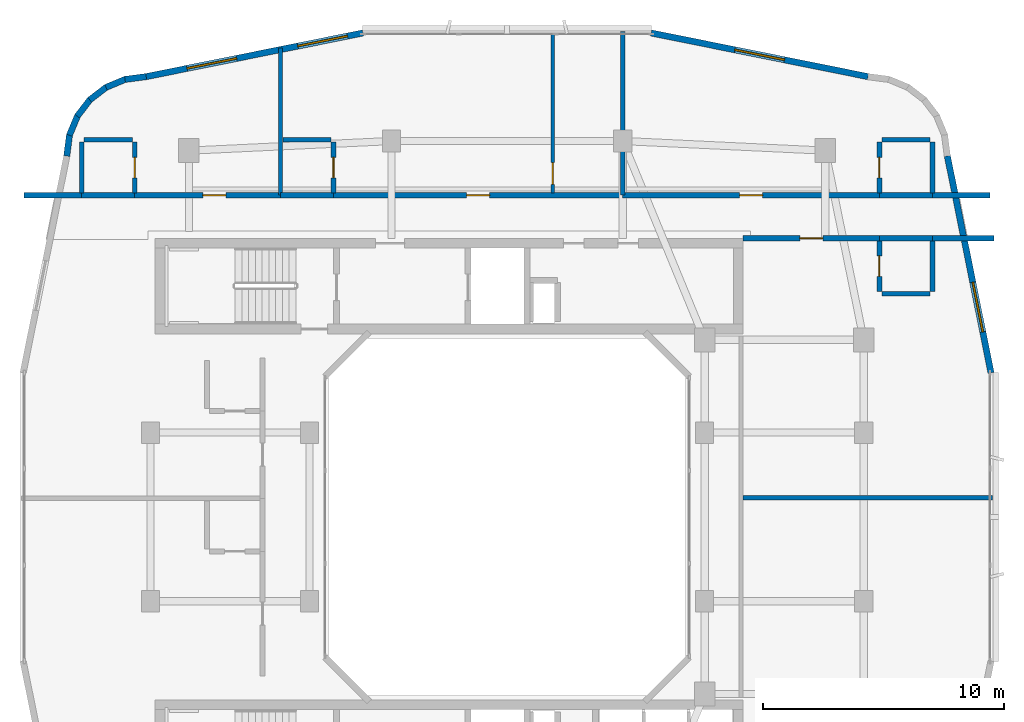
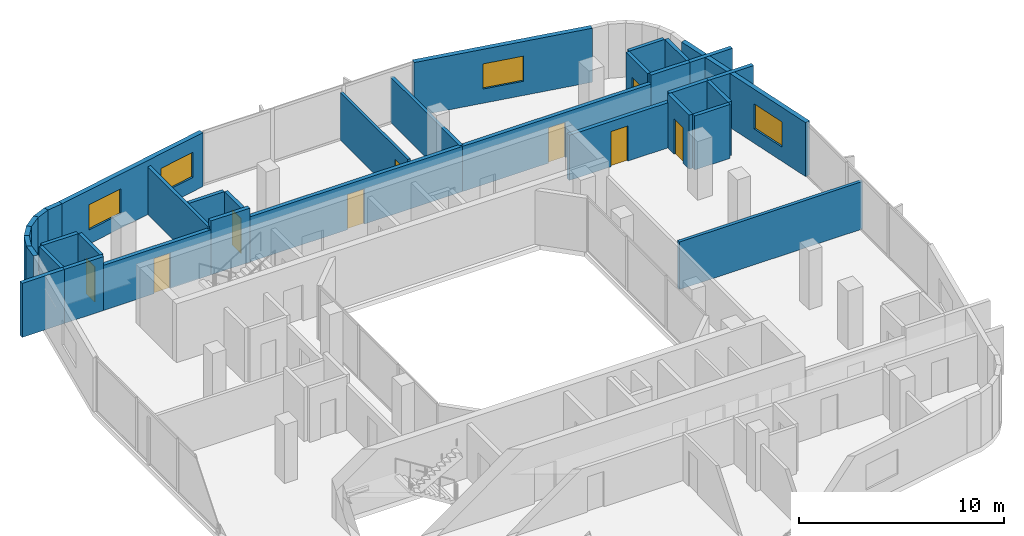
# One storey, part 9 of 14: 35 walls, 9 doors, 4 windows, 13 openings.
"""IFC4 building model written with IfcOpenShell, lengths in metres."""

from ifc_helpers import new_model, si_unit, derived_unit, direction, frame, frame_2d, origin, place, context, subcontext, project, spatial, rectangle, extrude, material, layer, layer_set, type_object, element, fill, save


model = new_model("IFC4")

# Units and contexts
model_context = context("Model", 3, precision=1e-05, world=origin(), true_north=direction((0.0, 1.0)))
body_context = subcontext(model_context, "Body", "Model", "MODEL_VIEW")
ifc_project = project(units=[si_unit("LENGTHUNIT", "METRE"), si_unit("AREAUNIT", "SQUARE_METRE"), si_unit("VOLUMEUNIT", "CUBIC_METRE"), si_unit("PLANEANGLEUNIT", "RADIAN"), si_unit("MASSUNIT", "GRAM", prefix="KILO"), derived_unit("THERMALTRANSMITTANCEUNIT", [(si_unit("POWERUNIT", "WATT"), 1), (si_unit("LENGTHUNIT", "METRE"), -2), (si_unit("THERMODYNAMICTEMPERATUREUNIT", "KELVIN"), -1)])], contexts=[model_context])

# Site, building, storey
site_placement = place(None, origin())
site = spatial("IfcSite", under=ifc_project, at=site_placement, CompositionType="ELEMENT")
building_placement = place(site_placement, origin())
building = spatial("IfcBuilding", under=site, at=building_placement, Name="Kivonza Crest Hotel", CompositionType="ELEMENT")
storey_placement = place(building_placement, frame((0.0, 0.0, 138.0)))
storey = spatial("IfcBuildingStorey", under=building, at=storey_placement, Name="L37", CompositionType="ELEMENT", Elevation=138.0)

# Walls
ifc_material_1 = material(Name="High-density acoustic masonry inter-tenancy wall", Category="masonry")
ifc_layer_1 = layer(ifc_material_1, 0.179931640625)
ifc_layer_set_1 = layer_set([ifc_layer_1], Name="High-density acoustic masonry inter-tenancy wall")
wall_type_1 = type_object("IfcWallType", Name="WL-ACOU-180", PredefinedType="SOLIDWALL", material=ifc_layer_set_1)
wall_1_placement = place(storey_placement, frame((11.60009765625, 38.35009765625, 0.0), z_axis=(0.0, 0.0, 1.0), x_axis=(0.0, 1.0, 0.0)))
element("IfcWall", 1, at=wall_1_placement, inside=storey, type_object=wall_type_1, Name="L37 interior partition WA-L37-T1N-DIV1", PredefinedType="SOLIDWALL", context=body_context, shape_type="SweptSolid", body=[
    extrude(rectangle(XDim=6.115966796875, YDim=0.179931640625, at=frame_2d((3.05810546875, 0.0))), origin(), (0.0, 0.0, 1.0), 2.8349609375),
])
wall_2_placement = place(storey_placement, frame((25.800048828125, 38.35009765625, 0.0), z_axis=(0.0, 0.0, 1.0), x_axis=(0.0, 1.0, 0.0)))
element("IfcWall", 2, at=wall_2_placement, inside=storey, type_object=wall_type_1, Name="L37 interior partition WA-L37-T1N-DIV2", PredefinedType="SOLIDWALL", context=body_context, shape_type="SweptSolid", body=[
    extrude(rectangle(XDim=6.789794921875, YDim=0.179931640625, at=frame_2d((3.39501953125, 0.0))), origin(), (0.0, 0.0, 1.0), 2.695068359375),
])
wall_3_placement = place(storey_placement, frame((30.800048828125, 25.800048828125, 0.0), z_axis=(0.0, 0.0, 1.0), x_axis=(1.0, 0.0, 0.0)))
element("IfcWall", 3, at=wall_3_placement, inside=storey, type_object=wall_type_1, Name="L37 interior partition WA-L37-T1EC-DIV", PredefinedType="SOLIDWALL", context=body_context, shape_type="SweptSolid", body=[
    extrude(rectangle(XDim=10.33984375, YDim=0.179931640625, at=frame_2d((5.169921875, 0.0))), origin(), (0.0, 0.0, 1.0), 2.8349609375),
])
ifc_material_2 = material(Name="Autoclaved aerated concrete blockwork", Category="masonry")
ifc_layer_2 = layer(ifc_material_2, 0.219970703125)
ifc_layer_set_2 = layer_set([ifc_layer_2], Name="Autoclaved aerated concrete blockwork")
wall_type_2 = type_object("IfcWallType", Name="WL-ACOU-220", PredefinedType="SOLIDWALL", material=ifc_layer_set_2)
wall_4_placement = place(storey_placement, frame((0.9599609375, 38.35009765625, 0.0), z_axis=(0.0, 0.0, 1.0), x_axis=(1.0, 0.0, 0.0)))
element("IfcWall", 4, at=wall_4_placement, inside=storey, type_object=wall_type_2, Name="L37 interior partition WA-L37-N01-XCORR", PredefinedType="SOLIDWALL", context=body_context, shape_type="SweptSolid", body=[
    extrude(rectangle(XDim=2.39013671875, YDim=0.219970703125, at=frame_2d((1.195068359375, 0.0))), origin(), (0.0, 0.0, 1.0), 3.219970703125),
])
wall_5_placement = place(storey_placement, frame((3.35009765625, 38.35009765625, 0.0), z_axis=(0.0, 0.0, 1.0), x_axis=(1.0, 0.0, 0.0)))
element("IfcWall", 5, at=wall_5_placement, inside=storey, type_object=wall_type_2, Name="L37 interior partition WA-L37-N01-BCORR", PredefinedType="SOLIDWALL", context=body_context, shape_type="SweptSolid", body=[
    extrude(rectangle(XDim=2.199951171875, YDim=0.219970703125, at=frame_2d((1.10009765625, 0.0))), origin(), (0.0, 0.0, 1.0), 3.219970703125),
])

# Wall, opening, door
wall_6_placement = place(storey_placement, frame((5.550048828125, 38.35009765625, 0.0), z_axis=(0.0, 0.0, 1.0), x_axis=(1.0, 0.0, 0.0)))
wall_6 = element("IfcWall", 6, at=wall_6_placement, inside=storey, type_object=wall_type_2, Name="L37 interior partition WA-L37-N01-MCORR", PredefinedType="SOLIDWALL", context=body_context, shape_type="SweptSolid", body=[
    extrude(rectangle(XDim=6.050048828125, YDim=0.219970703125, at=frame_2d((3.02490234375, 0.0))), origin(), (0.0, 0.0, 1.0), 2.695068359375),
])
opening_1_placement = place(wall_6_placement, frame((2.830078125, 0.0, 0.0)))
opening_1 = element("IfcOpeningElement", 7, at=opening_1_placement, cuts=wall_6, Name="Opening DU-60", PredefinedType="OPENING", context=body_context, shape_type="SweptSolid", body=[
    extrude(rectangle(XDim=0.949951171875, YDim=2.10009765625, at=frame_2d((0.47509765625, 1.050048828125))), frame((0.0, 0.1201171875, 0.0), z_axis=(0.0, -1.0, 0.0), x_axis=(1.0, 0.0, 0.0)), (0.0, 0.0, 1.0), 0.239990234375),
])
ifc_material_3 = material(Name="Hardwood timber oak", Category="wood")
door_type_1 = type_object("IfcDoorType", Name="DR-UNIT-950", OperationType="NOTDEFINED", PredefinedType="DOOR", material=ifc_material_3)
door_1_placement = place(opening_1_placement, origin())
door_1 = element("IfcDoor", 8, at=door_1_placement, inside=storey, type_object=door_type_1, Name="L37 N01 guest unit entrance fire door", OperationType="SINGLE_SWING_LEFT", OverallHeight=2.10009765625, OverallWidth=0.949951171875, PredefinedType="DOOR", context=body_context, shape_type="SweptSolid", body=[
    extrude(rectangle(XDim=0.949951171875, YDim=2.10009765625, at=frame_2d((0.47509765625, 1.050048828125))), frame((0.0, 0.02490234375, 0.0), z_axis=(0.0, -1.0, 0.0), x_axis=(1.0, 0.0, 0.0)), (0.0, 0.0, 1.0), 0.050048828125),
])
fill(opening_1, door_1)

# Wall
wall_7_placement = place(storey_placement, frame((11.60009765625, 38.35009765625, 0.0), z_axis=(0.0, 0.0, 1.0), x_axis=(1.0, 0.0, 0.0)))
element("IfcWall", 9, at=wall_7_placement, inside=storey, type_object=wall_type_2, Name="L37 interior partition WA-L37-N02-BCORR", PredefinedType="SOLIDWALL", context=body_context, shape_type="SweptSolid", body=[
    extrude(rectangle(XDim=2.199951171875, YDim=0.219970703125, at=frame_2d((1.10009765625, 0.0))), origin(), (0.0, 0.0, 1.0), 3.219970703125),
])

# Wall, opening, door
wall_8_placement = place(storey_placement, frame((13.800048828125, 38.35009765625, 0.0), z_axis=(0.0, 0.0, 1.0), x_axis=(1.0, 0.0, 0.0)))
wall_8 = element("IfcWall", 10, at=wall_8_placement, inside=storey, type_object=wall_type_2, Name="L37 interior partition WA-L37-N02-MCORR", PredefinedType="SOLIDWALL", context=body_context, shape_type="SweptSolid", body=[
    extrude(rectangle(XDim=12.0, YDim=0.219970703125, at=frame_2d((6.0, 0.0))), origin(), (0.0, 0.0, 1.0), 2.695068359375),
])
opening_2_placement = place(wall_8_placement, frame((5.52490234375, 0.0, 0.0)))
opening_2 = element("IfcOpeningElement", 11, at=opening_2_placement, cuts=wall_8, Name="Opening DU-60", PredefinedType="OPENING", context=body_context, shape_type="SweptSolid", body=[
    extrude(rectangle(XDim=0.949951171875, YDim=2.10009765625, at=frame_2d((0.47509765625, 1.050048828125))), frame((0.0, 0.1201171875, 0.0), z_axis=(0.0, -1.0, 0.0), x_axis=(1.0, 0.0, 0.0)), (0.0, 0.0, 1.0), 0.239990234375),
])
door_2_placement = place(opening_2_placement, origin())
door_2 = element("IfcDoor", 12, at=door_2_placement, inside=storey, type_object=door_type_1, Name="L37 N02 guest unit entrance fire door", OperationType="SINGLE_SWING_RIGHT", OverallHeight=2.10009765625, OverallWidth=0.949951171875, PredefinedType="DOOR", context=body_context, shape_type="SweptSolid", body=[
    extrude(rectangle(XDim=0.949951171875, YDim=2.10009765625, at=frame_2d((0.47509765625, 1.050048828125))), frame((0.0, 0.02490234375, 0.0), z_axis=(0.0, -1.0, 0.0), x_axis=(1.0, 0.0, 0.0)), (0.0, 0.0, 1.0), 0.050048828125),
])
fill(opening_2, door_2)

# Walls
wall_9_placement = place(storey_placement, frame((38.64990234375, 38.35009765625, 0.0), z_axis=(0.0, 0.0, 1.0), x_axis=(1.0, 0.0, 0.0)))
element("IfcWall", 13, at=wall_9_placement, inside=storey, type_object=wall_type_2, Name="L37 interior partition WA-L37-N03-XCORR", PredefinedType="SOLIDWALL", context=body_context, shape_type="SweptSolid", body=[
    extrude(rectangle(XDim=2.39013671875, YDim=0.219970703125, at=frame_2d((1.195068359375, 0.0))), origin(), (0.0, 0.0, 1.0), 3.219970703125),
])
wall_10_placement = place(storey_placement, frame((36.449951171875, 38.35009765625, 0.0), z_axis=(0.0, 0.0, 1.0), x_axis=(1.0, 0.0, 0.0)))
element("IfcWall", 14, at=wall_10_placement, inside=storey, type_object=wall_type_2, Name="L37 interior partition WA-L37-N03-BCORR", PredefinedType="SOLIDWALL", context=body_context, shape_type="SweptSolid", body=[
    extrude(rectangle(XDim=2.199951171875, YDim=0.219970703125, at=frame_2d((1.10009765625, 0.0))), origin(), (0.0, 0.0, 1.0), 3.219970703125),
])

# Wall, opening, door
wall_11_placement = place(storey_placement, frame((25.800048828125, 38.35009765625, 0.0), z_axis=(0.0, 0.0, 1.0), x_axis=(1.0, 0.0, 0.0)))
wall_11 = element("IfcWall", 15, at=wall_11_placement, inside=storey, type_object=wall_type_2, Name="L37 interior partition WA-L37-N03-MCORR", PredefinedType="SOLIDWALL", context=body_context, shape_type="SweptSolid", body=[
    extrude(rectangle(XDim=10.64990234375, YDim=0.219970703125, at=frame_2d((5.324951171875, 0.0))), origin(), (0.0, 0.0, 1.0), 2.695068359375),
])
opening_3_placement = place(wall_11_placement, frame((4.85009765625, 0.0, 0.0)))
opening_3 = element("IfcOpeningElement", 16, at=opening_3_placement, cuts=wall_11, Name="Opening DU-60", PredefinedType="OPENING", context=body_context, shape_type="SweptSolid", body=[
    extrude(rectangle(XDim=0.949951171875, YDim=2.10009765625, at=frame_2d((0.47509765625, 1.050048828125))), frame((0.0, 0.1201171875, 0.0), z_axis=(0.0, -1.0, 0.0), x_axis=(1.0, 0.0, 0.0)), (0.0, 0.0, 1.0), 0.239990234375),
])
door_3_placement = place(opening_3_placement, origin())
door_3 = element("IfcDoor", 17, at=door_3_placement, inside=storey, type_object=door_type_1, Name="L37 N03 guest unit entrance fire door", OperationType="SINGLE_SWING_LEFT", OverallHeight=2.10009765625, OverallWidth=0.949951171875, PredefinedType="DOOR", context=body_context, shape_type="SweptSolid", body=[
    extrude(rectangle(XDim=0.949951171875, YDim=2.10009765625, at=frame_2d((0.47509765625, 1.050048828125))), frame((0.0, 0.02490234375, 0.0), z_axis=(0.0, -1.0, 0.0), x_axis=(1.0, 0.0, 0.0)), (0.0, 0.0, 1.0), 0.050048828125),
])
fill(opening_3, door_3)

# Walls
wall_12_placement = place(storey_placement, frame((38.64990234375, 36.56005859375, 0.0), z_axis=(0.0, 0.0, 1.0), x_axis=(1.0, 0.0, 0.0)))
element("IfcWall", 18, at=wall_12_placement, inside=storey, type_object=wall_type_2, Name="L37 interior partition WA-L37-EN10-XCORR", PredefinedType="SOLIDWALL", context=body_context, shape_type="SweptSolid", body=[
    extrude(rectangle(XDim=2.550048828125, YDim=0.219970703125, at=frame_2d((1.27490234375, 0.0))), origin(), (0.0, 0.0, 1.0), 3.219970703125),
])
wall_13_placement = place(storey_placement, frame((36.449951171875, 36.56005859375, 0.0), z_axis=(0.0, 0.0, 1.0), x_axis=(1.0, 0.0, 0.0)))
element("IfcWall", 19, at=wall_13_placement, inside=storey, type_object=wall_type_2, Name="L37 interior partition WA-L37-EN10-BCORR", PredefinedType="SOLIDWALL", context=body_context, shape_type="SweptSolid", body=[
    extrude(rectangle(XDim=2.199951171875, YDim=0.219970703125, at=frame_2d((1.10009765625, 0.0))), origin(), (0.0, 0.0, 1.0), 3.219970703125),
])

# Wall, opening, door
wall_14_placement = place(storey_placement, frame((30.800048828125, 36.56005859375, 0.0), z_axis=(0.0, 0.0, 1.0), x_axis=(1.0, 0.0, 0.0)))
wall_14 = element("IfcWall", 20, at=wall_14_placement, inside=storey, type_object=wall_type_2, Name="L37 interior partition WA-L37-EN10-MCORR", PredefinedType="SOLIDWALL", context=body_context, shape_type="SweptSolid", body=[
    extrude(rectangle(XDim=5.64990234375, YDim=0.219970703125, at=frame_2d((2.824951171875, 0.0))), origin(), (0.0, 0.0, 1.0), 2.695068359375),
])
opening_4_placement = place(wall_14_placement, frame((2.35009765625, 0.0, 0.0)))
opening_4 = element("IfcOpeningElement", 21, at=opening_4_placement, cuts=wall_14, Name="Opening DU-60", PredefinedType="OPENING", context=body_context, shape_type="SweptSolid", body=[
    extrude(rectangle(XDim=0.949951171875, YDim=2.10009765625, at=frame_2d((0.47509765625, 1.050048828125))), frame((0.0, 0.1201171875, 0.0), z_axis=(0.0, -1.0, 0.0), x_axis=(1.0, 0.0, 0.0)), (0.0, 0.0, 1.0), 0.239990234375),
])
door_4_placement = place(opening_4_placement, frame((0.949951171875, 0.0, 0.0), z_axis=(0.0, 0.0, 1.0), x_axis=(-1.0, 0.0, 0.0)))
door_4 = element("IfcDoor", 22, at=door_4_placement, inside=storey, type_object=door_type_1, Name="L37 EN10 guest unit entrance fire door", OperationType="SINGLE_SWING_LEFT", OverallHeight=2.10009765625, OverallWidth=0.949951171875, PredefinedType="DOOR", context=body_context, shape_type="SweptSolid", body=[
    extrude(rectangle(XDim=0.949951171875, YDim=2.10009765625, at=frame_2d((0.47509765625, 1.050048828125))), frame((0.0, 0.02490234375, 0.0), z_axis=(0.0, -1.0, 0.0), x_axis=(1.0, 0.0, 0.0)), (0.0, 0.0, 1.0), 0.050048828125),
])
fill(opening_4, door_4)

# Wall, opening, window
ifc_material_4 = material(Name="Precast concrete C40/50", Category="concrete")
ifc_layer_3 = layer(ifc_material_4, 0.260009765625)
ifc_layer_set_3 = layer_set([ifc_layer_3], Name="Precast concrete C40/50")
wall_type_3 = type_object("IfcWallType", Name="WL-EXT-260", PredefinedType="STANDARD", material=ifc_layer_set_3)
wall_15_placement = place(storey_placement, frame((41.083984375, 30.97998046875, 0.0), z_axis=(0.0, 0.0, 1.0), x_axis=(-0.197435082048, 0.980315963543, 0.0)))
wall_15 = element("IfcWall", 23, at=wall_15_placement, inside=storey, type_object=wall_type_3, Name="L37 T1 exterior insulated wall 18", PredefinedType="STANDARD", context=body_context, shape_type="SweptSolid", body=[
    extrude(rectangle(XDim=9.1826171875, YDim=0.260009765625, at=frame_2d((4.59130859375, 0.0))), origin(), (0.0, 0.0, 1.0), 3.219970703125),
])
opening_5_placement = place(wall_15_placement, frame((1.73388671875, 0.0, 0.85009765625)))
opening_5 = element("IfcOpeningElement", 24, at=opening_5_placement, cuts=wall_15, Name="Opening WN-04", PredefinedType="OPENING", context=body_context, shape_type="SweptSolid", body=[
    extrude(rectangle(XDim=2.10009765625, YDim=1.5, at=frame_2d((1.050048828125, 0.75))), frame((0.0, 0.14013671875, 0.0), z_axis=(0.0, -1.0, 0.0), x_axis=(1.0, 0.0, 0.0)), (0.0, 0.0, 1.0), 0.280029296875),
])
ifc_material_5 = material(Name="Thermally broken bronze aluminium and low-E double glazing", Category="aluminium")
window_type = type_object("IfcWindowType", Name="WN-210x150", PartitioningType="DOUBLE_PANEL_VERTICAL", PredefinedType="WINDOW", material=ifc_material_5)
window_1_placement = place(opening_5_placement, origin())
window_1 = element("IfcWindow", 25, at=window_1_placement, inside=storey, type_object=window_type, Name="L37 T1 facade window 18", OverallHeight=1.5, OverallWidth=2.10009765625, PartitioningType="SINGLE_PANEL", PredefinedType="WINDOW", context=body_context, shape_type="SweptSolid", body=[
    extrude(rectangle(XDim=2.10009765625, YDim=1.5, at=frame_2d((1.050048828125, 0.75))), frame((0.0, 0.030029296875, 0.0), z_axis=(0.0, -1.0, 0.0), x_axis=(1.0, 0.0, 0.0)), (0.0, 0.0, 1.0), 0.06005859375),
])
fill(opening_5, window_1)

wall_16_placement = place(storey_placement, frame((35.98193359375, 43.27099609375, 0.0), z_axis=(0.0, 0.0, 1.0), x_axis=(-0.980315963543, 0.197435082048, 0.0)))
wall_16 = element("IfcWall", 26, at=wall_16_placement, inside=storey, type_object=wall_type_3, Name="L37 T1 exterior insulated wall 25", PredefinedType="STANDARD", context=body_context, shape_type="SweptSolid", body=[
    extrude(rectangle(XDim=9.1826171875, YDim=0.260009765625, at=frame_2d((4.59130859375, 0.0))), origin(), (0.0, 0.0, 1.0), 3.219970703125),
])
opening_6_placement = place(wall_16_placement, frame((3.541015625, 0.0, 0.85009765625)))
opening_6 = element("IfcOpeningElement", 27, at=opening_6_placement, cuts=wall_16, Name="Opening WN-04", PredefinedType="OPENING", context=body_context, shape_type="SweptSolid", body=[
    extrude(rectangle(XDim=2.10009765625, YDim=1.5, at=frame_2d((1.050048828125, 0.75))), frame((0.0, 0.14013671875, 0.0), z_axis=(0.0, -1.0, 0.0), x_axis=(1.0, 0.0, 0.0)), (0.0, 0.0, 1.0), 0.280029296875),
])
window_2_placement = place(opening_6_placement, origin())
window_2 = element("IfcWindow", 28, at=window_2_placement, inside=storey, type_object=window_type, Name="L37 T1 facade window 25", OverallHeight=1.5, OverallWidth=2.10009765625, PartitioningType="SINGLE_PANEL", PredefinedType="WINDOW", context=body_context, shape_type="SweptSolid", body=[
    extrude(rectangle(XDim=2.10009765625, YDim=1.5, at=frame_2d((1.050048828125, 0.75))), frame((0.0, 0.030029296875, 0.0), z_axis=(0.0, -1.0, 0.0), x_axis=(1.0, 0.0, 0.0)), (0.0, 0.0, 1.0), 0.06005859375),
])
fill(opening_6, window_2)

# Wall, openings, windows
wall_17_placement = place(storey_placement, frame((15.02001953125, 45.083984375, 0.0), z_axis=(0.0, 0.0, 1.0), x_axis=(-0.980315963543, -0.197435082048, 0.0)))
wall_17 = element("IfcWall", 29, at=wall_17_placement, inside=storey, type_object=wall_type_3, Name="L37 T1 exterior insulated wall 27", PredefinedType="STANDARD", context=body_context, shape_type="SweptSolid", body=[
    extrude(rectangle(XDim=9.1826171875, YDim=0.260009765625, at=frame_2d((4.59130859375, 0.0))), origin(), (0.0, 0.0, 1.0), 3.219970703125),
])
opening_7_placement = place(wall_17_placement, frame((0.656982421875, 0.0, 0.85009765625)))
opening_7 = element("IfcOpeningElement", 30, at=opening_7_placement, cuts=wall_17, Name="Opening WN-04", PredefinedType="OPENING", context=body_context, shape_type="SweptSolid", body=[
    extrude(rectangle(XDim=2.10009765625, YDim=1.5, at=frame_2d((1.050048828125, 0.75))), frame((0.0, 0.14013671875, 0.0), z_axis=(0.0, -1.0, 0.0), x_axis=(1.0, 0.0, 0.0)), (0.0, 0.0, 1.0), 0.280029296875),
])
opening_8_placement = place(wall_17_placement, frame((5.347900390625, 0.0, 0.85009765625)))
opening_8 = element("IfcOpeningElement", 31, at=opening_8_placement, cuts=wall_17, Name="Opening WN-04", PredefinedType="OPENING", context=body_context, shape_type="SweptSolid", body=[
    extrude(rectangle(XDim=2.10009765625, YDim=1.5, at=frame_2d((1.050048828125, 0.75))), frame((0.0, 0.14013671875, 0.0), z_axis=(0.0, -1.0, 0.0), x_axis=(1.0, 0.0, 0.0)), (0.0, 0.0, 1.0), 0.280029296875),
])
window_3_placement = place(opening_7_placement, origin())
window_3 = element("IfcWindow", 32, at=window_3_placement, inside=storey, type_object=window_type, Name="L37 T1 facade window 27 bay 1", OverallHeight=1.5, OverallWidth=2.10009765625, PartitioningType="SINGLE_PANEL", PredefinedType="WINDOW", context=body_context, shape_type="SweptSolid", body=[
    extrude(rectangle(XDim=2.10009765625, YDim=1.5, at=frame_2d((1.050048828125, 0.75))), frame((0.0, 0.030029296875, 0.0), z_axis=(0.0, -1.0, 0.0), x_axis=(1.0, 0.0, 0.0)), (0.0, 0.0, 1.0), 0.06005859375),
])
fill(opening_7, window_3)
window_4_placement = place(opening_8_placement, origin())
window_4 = element("IfcWindow", 33, at=window_4_placement, inside=storey, type_object=window_type, Name="L37 T1 facade window 27 bay 2", OverallHeight=1.5, OverallWidth=2.10009765625, PartitioningType="SINGLE_PANEL", PredefinedType="WINDOW", context=body_context, shape_type="SweptSolid", body=[
    extrude(rectangle(XDim=2.10009765625, YDim=1.5, at=frame_2d((1.050048828125, 0.75))), frame((0.0, 0.030029296875, 0.0), z_axis=(0.0, -1.0, 0.0), x_axis=(1.0, 0.0, 0.0)), (0.0, 0.0, 1.0), 0.06005859375),
])
fill(opening_8, window_4)

# Walls
wall_18_placement = place(storey_placement, frame((6.02490234375, 43.27197265625, 0.0), z_axis=(0.0, 0.0, 1.0), x_axis=(-0.991388484223, -0.130953706898, 0.0)))
element("IfcWall", 34, at=wall_18_placement, inside=storey, type_object=wall_type_3, Name="L37 T1 exterior insulated wall 28", PredefinedType="STANDARD", context=body_context, shape_type="SweptSolid", body=[
    extrude(rectangle(XDim=0.885498046875, YDim=0.260009765625, at=frame_2d((0.44287109375, 0.0))), origin(), (0.0, 0.0, 1.0), 3.219970703125),
])
wall_19_placement = place(storey_placement, frame((5.193115234375, 43.174072265625, 0.0), z_axis=(0.0, 0.0, 1.0), x_axis=(-0.923627776508, -0.383290660547, 0.0)))
element("IfcWall", 35, at=wall_19_placement, inside=storey, type_object=wall_type_3, Name="L37 T1 exterior insulated wall 29", PredefinedType="STANDARD", context=body_context, shape_type="SweptSolid", body=[
    extrude(rectangle(XDim=0.9033203125, YDim=0.260009765625, at=frame_2d((0.45166015625, 0.0))), origin(), (0.0, 0.0, 1.0), 3.219970703125),
])
wall_20_placement = place(storey_placement, frame((4.39892578125, 42.85595703125, 0.0), z_axis=(0.0, 0.0, 1.0), x_axis=(-0.793458244748, -0.608624690463, 0.0)))
element("IfcWall", 36, at=wall_20_placement, inside=storey, type_object=wall_type_3, Name="L37 T1 exterior insulated wall 30", PredefinedType="STANDARD", context=body_context, shape_type="SweptSolid", body=[
    extrude(rectangle(XDim=0.902099609375, YDim=0.260009765625, at=frame_2d((0.451171875, 0.0))), origin(), (0.0, 0.0, 1.0), 3.219970703125),
])
wall_21_placement = place(storey_placement, frame((3.714111328125, 42.344970703125, 0.0), z_axis=(0.0, 0.0, 1.0), x_axis=(-0.608494022858, -0.793558456666, 0.0)))
element("IfcWall", 37, at=wall_21_placement, inside=storey, type_object=wall_type_3, Name="L37 T1 exterior insulated wall 31", PredefinedType="STANDARD", context=body_context, shape_type="SweptSolid", body=[
    extrude(rectangle(XDim=0.90234375, YDim=0.260009765625, at=frame_2d((0.451171875, 0.0))), origin(), (0.0, 0.0, 1.0), 3.219970703125),
])
wall_22_placement = place(storey_placement, frame((3.18603515625, 41.673095703125, 0.0), z_axis=(0.0, 0.0, 1.0), x_axis=(-0.383155708213, -0.923683767999, 0.0)))
element("IfcWall", 38, at=wall_22_placement, inside=storey, type_object=wall_type_3, Name="L37 T1 exterior insulated wall 32", PredefinedType="STANDARD", context=body_context, shape_type="SweptSolid", body=[
    extrude(rectangle(XDim=0.90283203125, YDim=0.260009765625, at=frame_2d((0.451416015625, 0.0))), origin(), (0.0, 0.0, 1.0), 3.219970703125),
])
wall_23_placement = place(storey_placement, frame((2.847900390625, 40.887939453125, 0.0), z_axis=(0.0, 0.0, 1.0), x_axis=(-0.130200706103, -0.991487658083, 0.0)))
element("IfcWall", 39, at=wall_23_placement, inside=storey, type_object=wall_type_3, Name="L37 T1 exterior insulated wall 33", PredefinedType="STANDARD", context=body_context, shape_type="SweptSolid", body=[
    extrude(rectangle(XDim=0.920654296875, YDim=0.260009765625, at=frame_2d((0.46044921875, 0.0))), origin(), (0.0, 0.0, 1.0), 3.219970703125),
])

# Wall, opening, door
ifc_material_6 = material(Name="Twin-stud acoustic gypsum board partition", Category="gypsum")
ifc_layer_4 = layer(ifc_material_6, 0.14990234375)
ifc_layer_set_4 = layer_set([ifc_layer_4], Name="Twin-stud acoustic gypsum board partition")
wall_type_4 = type_object("IfcWallType", Name="WL-PART-150", PredefinedType="PARTITIONING", material=ifc_layer_set_4)
wall_24_placement = place(storey_placement, frame((22.89990234375, 38.449951171875, 0.0), z_axis=(0.0, 0.0, 1.0), x_axis=(0.0, 1.0, 0.0)))
wall_24 = element("IfcWall", 40, at=wall_24_placement, inside=storey, type_object=wall_type_4, Name="L37 interior partition WP-L37-N02-SPSP", PredefinedType="PARTITIONING", context=body_context, shape_type="SweptSolid", body=[
    extrude(rectangle(XDim=6.590087890625, YDim=0.14990234375, at=frame_2d((3.294921875, 0.0))), origin(), (0.0, 0.0, 1.0), 2.8349609375),
])
opening_9_placement = place(wall_24_placement, frame((0.35009765625, 0.0, 0.0)))
opening_9 = element("IfcOpeningElement", 41, at=opening_9_placement, cuts=wall_24, Name="Opening DI-90", PredefinedType="OPENING", context=body_context, shape_type="SweptSolid", body=[
    extrude(rectangle(XDim=0.89990234375, YDim=2.10009765625, at=frame_2d((0.449951171875, 1.050048828125))), frame((0.0, 0.0849609375, 0.0), z_axis=(0.0, -1.0, 0.0), x_axis=(1.0, 0.0, 0.0)), (0.0, 0.0, 1.0), 0.169921875),
])
door_type_2 = type_object("IfcDoorType", Name="DR-INT-900", OperationType="NOTDEFINED", PredefinedType="DOOR", material=ifc_material_3)
door_5_placement = place(opening_9_placement, origin())
door_5 = element("IfcDoor", 42, at=door_5_placement, inside=storey, type_object=door_type_2, Name="L37 N02 suite bedroom door", OperationType="SINGLE_SWING_LEFT", OverallHeight=2.10009765625, OverallWidth=0.89990234375, PredefinedType="DOOR", context=body_context, shape_type="SweptSolid", body=[
    extrude(rectangle(XDim=0.89990234375, YDim=2.10009765625, at=frame_2d((0.449951171875, 1.050048828125))), frame((0.0, 0.02490234375, 0.0), z_axis=(0.0, -1.0, 0.0), x_axis=(1.0, 0.0, 0.0)), (0.0, 0.0, 1.0), 0.050048828125),
])
fill(opening_9, door_5)

ifc_material_7 = material(Name="Moisture-resistant plumbing chase partition wall", Category="gypsum")
ifc_layer_5 = layer(ifc_material_7, 0.199951171875)
ifc_layer_set_5 = layer_set([ifc_layer_5], Name="Moisture-resistant plumbing chase partition wall")
wall_type_5 = type_object("IfcWallType", Name="WL-PLUMB-200", PredefinedType="PLUMBINGWALL", material=ifc_layer_set_5)
wall_25_placement = place(storey_placement, frame((5.550048828125, 38.449951171875, 0.0), z_axis=(0.0, 0.0, 1.0), x_axis=(0.0, 1.0, 0.0)))
wall_25 = element("IfcWall", 43, at=wall_25_placement, inside=storey, type_object=wall_type_5, Name="L37 interior partition WW-L37-N01-BV", PredefinedType="PLUMBINGWALL", context=body_context, shape_type="SweptSolid", body=[
    extrude(rectangle(XDim=2.10009765625, YDim=0.199951171875, at=frame_2d((1.050048828125, 0.0))), origin(), (0.0, 0.0, 1.0), 3.219970703125),
])
opening_10_placement = place(wall_25_placement, frame((0.625, 0.0, 0.0)))
opening_10 = element("IfcOpeningElement", 44, at=opening_10_placement, cuts=wall_25, Name="Opening DI-85", PredefinedType="OPENING", context=body_context, shape_type="SweptSolid", body=[
    extrude(rectangle(XDim=0.85009765625, YDim=2.10009765625, at=frame_2d((0.425048828125, 1.050048828125))), frame((0.0, 0.10986328125, 0.0), z_axis=(0.0, -1.0, 0.0), x_axis=(1.0, 0.0, 0.0)), (0.0, 0.0, 1.0), 0.219970703125),
])
door_type_3 = type_object("IfcDoorType", Name="DR-INT-850", OperationType="NOTDEFINED", PredefinedType="DOOR", material=ifc_material_3)
door_6_placement = place(opening_10_placement, frame((0.85009765625, 0.0, 0.0), z_axis=(0.0, 0.0, 1.0), x_axis=(-1.0, 0.0, 0.0)))
door_6 = element("IfcDoor", 45, at=door_6_placement, inside=storey, type_object=door_type_3, Name="L37 N01 en-suite bathroom door", OperationType="SINGLE_SWING_RIGHT", OverallHeight=2.10009765625, OverallWidth=0.85009765625, PredefinedType="DOOR", context=body_context, shape_type="SweptSolid", body=[
    extrude(rectangle(XDim=0.85009765625, YDim=2.10009765625, at=frame_2d((0.425048828125, 1.050048828125))), frame((0.0, 0.02490234375, 0.0), z_axis=(0.0, -1.0, 0.0), x_axis=(1.0, 0.0, 0.0)), (0.0, 0.0, 1.0), 0.050048828125),
])
fill(opening_10, door_6)

# Walls
wall_26_placement = place(storey_placement, frame((3.449951171875, 40.64990234375, 0.0), z_axis=(0.0, 0.0, 1.0), x_axis=(1.0, 0.0, 0.0)))
element("IfcWall", 46, at=wall_26_placement, inside=storey, type_object=wall_type_5, Name="L37 interior partition WW-L37-N01-BH", PredefinedType="PLUMBINGWALL", context=body_context, shape_type="SweptSolid", body=[
    extrude(rectangle(XDim=2.0, YDim=0.199951171875, at=frame_2d((1.0, 0.0))), origin(), (0.0, 0.0, 1.0), 3.219970703125),
])
wall_27_placement = place(storey_placement, frame((3.35009765625, 38.449951171875, 0.0), z_axis=(0.0, 0.0, 1.0), x_axis=(0.0, 1.0, 0.0)))
element("IfcWall", 47, at=wall_27_placement, inside=storey, type_object=wall_type_5, Name="L37 interior partition WW-L37-N01-BVW", PredefinedType="PLUMBINGWALL", context=body_context, shape_type="SweptSolid", body=[
    extrude(rectangle(XDim=2.10009765625, YDim=0.199951171875, at=frame_2d((1.050048828125, 0.0))), origin(), (0.0, 0.0, 1.0), 3.219970703125),
])

# Wall, opening, door
wall_28_placement = place(storey_placement, frame((13.800048828125, 38.449951171875, 0.0), z_axis=(0.0, 0.0, 1.0), x_axis=(0.0, 1.0, 0.0)))
wall_28 = element("IfcWall", 48, at=wall_28_placement, inside=storey, type_object=wall_type_5, Name="L37 interior partition WW-L37-N02-BV", PredefinedType="PLUMBINGWALL", context=body_context, shape_type="SweptSolid", body=[
    extrude(rectangle(XDim=2.10009765625, YDim=0.199951171875, at=frame_2d((1.050048828125, 0.0))), origin(), (0.0, 0.0, 1.0), 2.8349609375),
])
opening_11_placement = place(wall_28_placement, frame((0.625, 0.0, 0.0)))
opening_11 = element("IfcOpeningElement", 49, at=opening_11_placement, cuts=wall_28, Name="Opening DI-85", PredefinedType="OPENING", context=body_context, shape_type="SweptSolid", body=[
    extrude(rectangle(XDim=0.85009765625, YDim=2.10009765625, at=frame_2d((0.425048828125, 1.050048828125))), frame((0.0, 0.10986328125, 0.0), z_axis=(0.0, -1.0, 0.0), x_axis=(1.0, 0.0, 0.0)), (0.0, 0.0, 1.0), 0.219970703125),
])
door_7_placement = place(opening_11_placement, frame((0.85009765625, 0.0, 0.0), z_axis=(0.0, 0.0, 1.0), x_axis=(-1.0, 0.0, 0.0)))
door_7 = element("IfcDoor", 50, at=door_7_placement, inside=storey, type_object=door_type_3, Name="L37 N02 en-suite bathroom door", OperationType="SINGLE_SWING_LEFT", OverallHeight=2.10009765625, OverallWidth=0.85009765625, PredefinedType="DOOR", context=body_context, shape_type="SweptSolid", body=[
    extrude(rectangle(XDim=0.85009765625, YDim=2.10009765625, at=frame_2d((0.425048828125, 1.050048828125))), frame((0.0, 0.02490234375, 0.0), z_axis=(0.0, -1.0, 0.0), x_axis=(1.0, 0.0, 0.0)), (0.0, 0.0, 1.0), 0.050048828125),
])
fill(opening_11, door_7)

# Wall
wall_29_placement = place(storey_placement, frame((11.699951171875, 40.64990234375, 0.0), z_axis=(0.0, 0.0, 1.0), x_axis=(1.0, 0.0, 0.0)))
element("IfcWall", 51, at=wall_29_placement, inside=storey, type_object=wall_type_5, Name="L37 interior partition WW-L37-N02-BH", PredefinedType="PLUMBINGWALL", context=body_context, shape_type="SweptSolid", body=[
    extrude(rectangle(XDim=2.0, YDim=0.199951171875, at=frame_2d((1.0, 0.0))), origin(), (0.0, 0.0, 1.0), 2.8349609375),
])

# Wall, opening, door
wall_30_placement = place(storey_placement, frame((36.449951171875, 38.449951171875, 0.0), z_axis=(0.0, 0.0, 1.0), x_axis=(0.0, 1.0, 0.0)))
wall_30 = element("IfcWall", 52, at=wall_30_placement, inside=storey, type_object=wall_type_5, Name="L37 interior partition WW-L37-N03-BV", PredefinedType="PLUMBINGWALL", context=body_context, shape_type="SweptSolid", body=[
    extrude(rectangle(XDim=2.10009765625, YDim=0.199951171875, at=frame_2d((1.050048828125, 0.0))), origin(), (0.0, 0.0, 1.0), 3.219970703125),
])
opening_12_placement = place(wall_30_placement, frame((0.625, 0.0, 0.0)))
opening_12 = element("IfcOpeningElement", 53, at=opening_12_placement, cuts=wall_30, Name="Opening DI-85", PredefinedType="OPENING", context=body_context, shape_type="SweptSolid", body=[
    extrude(rectangle(XDim=0.85009765625, YDim=2.10009765625, at=frame_2d((0.425048828125, 1.050048828125))), frame((0.0, 0.10986328125, 0.0), z_axis=(0.0, -1.0, 0.0), x_axis=(1.0, 0.0, 0.0)), (0.0, 0.0, 1.0), 0.219970703125),
])
door_8_placement = place(opening_12_placement, origin())
door_8 = element("IfcDoor", 54, at=door_8_placement, inside=storey, type_object=door_type_3, Name="L37 N03 en-suite bathroom door", OperationType="SINGLE_SWING_RIGHT", OverallHeight=2.10009765625, OverallWidth=0.85009765625, PredefinedType="DOOR", context=body_context, shape_type="SweptSolid", body=[
    extrude(rectangle(XDim=0.85009765625, YDim=2.10009765625, at=frame_2d((0.425048828125, 1.050048828125))), frame((0.0, 0.02490234375, 0.0), z_axis=(0.0, -1.0, 0.0), x_axis=(1.0, 0.0, 0.0)), (0.0, 0.0, 1.0), 0.050048828125),
])
fill(opening_12, door_8)

# Walls
wall_31_placement = place(storey_placement, frame((36.550048828125, 40.64990234375, 0.0), z_axis=(0.0, 0.0, 1.0), x_axis=(1.0, 0.0, 0.0)))
element("IfcWall", 55, at=wall_31_placement, inside=storey, type_object=wall_type_5, Name="L37 interior partition WW-L37-N03-BH", PredefinedType="PLUMBINGWALL", context=body_context, shape_type="SweptSolid", body=[
    extrude(rectangle(XDim=2.0, YDim=0.199951171875, at=frame_2d((1.0, 0.0))), origin(), (0.0, 0.0, 1.0), 3.219970703125),
])
wall_32_placement = place(storey_placement, frame((38.64990234375, 38.449951171875, 0.0), z_axis=(0.0, 0.0, 1.0), x_axis=(0.0, 1.0, 0.0)))
element("IfcWall", 56, at=wall_32_placement, inside=storey, type_object=wall_type_5, Name="L37 interior partition WW-L37-N03-BVE", PredefinedType="PLUMBINGWALL", context=body_context, shape_type="SweptSolid", body=[
    extrude(rectangle(XDim=2.10009765625, YDim=0.199951171875, at=frame_2d((1.050048828125, 0.0))), origin(), (0.0, 0.0, 1.0), 3.219970703125),
])

# Wall, opening, door
wall_33_placement = place(storey_placement, frame((36.449951171875, 34.360107421875, 0.0), z_axis=(0.0, 0.0, 1.0), x_axis=(0.0, 1.0, 0.0)))
wall_33 = element("IfcWall", 57, at=wall_33_placement, inside=storey, type_object=wall_type_5, Name="L37 interior partition WW-L37-EN10-BV", PredefinedType="PLUMBINGWALL", context=body_context, shape_type="SweptSolid", body=[
    extrude(rectangle(XDim=2.099853515625, YDim=0.199951171875, at=frame_2d((1.0498046875, 0.0))), origin(), (0.0, 0.0, 1.0), 3.219970703125),
])
opening_13_placement = place(wall_33_placement, frame((0.625, 0.0, 0.0)))
opening_13 = element("IfcOpeningElement", 58, at=opening_13_placement, cuts=wall_33, Name="Opening DI-85", PredefinedType="OPENING", context=body_context, shape_type="SweptSolid", body=[
    extrude(rectangle(XDim=0.85009765625, YDim=2.10009765625, at=frame_2d((0.425048828125, 1.050048828125))), frame((0.0, 0.10986328125, 0.0), z_axis=(0.0, -1.0, 0.0), x_axis=(1.0, 0.0, 0.0)), (0.0, 0.0, 1.0), 0.219970703125),
])
door_9_placement = place(opening_13_placement, origin())
door_9 = element("IfcDoor", 59, at=door_9_placement, inside=storey, type_object=door_type_3, Name="L37 EN10 en-suite bathroom door", OperationType="SINGLE_SWING_RIGHT", OverallHeight=2.10009765625, OverallWidth=0.85009765625, PredefinedType="DOOR", context=body_context, shape_type="SweptSolid", body=[
    extrude(rectangle(XDim=0.85009765625, YDim=2.10009765625, at=frame_2d((0.425048828125, 1.050048828125))), frame((0.0, 0.02490234375, 0.0), z_axis=(0.0, -1.0, 0.0), x_axis=(1.0, 0.0, 0.0)), (0.0, 0.0, 1.0), 0.050048828125),
])
fill(opening_13, door_9)

# Walls
wall_34_placement = place(storey_placement, frame((36.550048828125, 34.260009765625, 0.0), z_axis=(0.0, 0.0, 1.0), x_axis=(1.0, 0.0, 0.0)))
element("IfcWall", 60, at=wall_34_placement, inside=storey, type_object=wall_type_5, Name="L37 interior partition WW-L37-EN10-BH", PredefinedType="PLUMBINGWALL", context=body_context, shape_type="SweptSolid", body=[
    extrude(rectangle(XDim=2.0, YDim=0.199951171875, at=frame_2d((1.0, 0.0))), origin(), (0.0, 0.0, 1.0), 3.219970703125),
])
wall_35_placement = place(storey_placement, frame((38.64990234375, 34.360107421875, 0.0), z_axis=(0.0, 0.0, 1.0), x_axis=(0.0, 1.0, 0.0)))
element("IfcWall", 61, at=wall_35_placement, inside=storey, type_object=wall_type_5, Name="L37 interior partition WW-L37-EN10-BVE", PredefinedType="PLUMBINGWALL", context=body_context, shape_type="SweptSolid", body=[
    extrude(rectangle(XDim=2.099853515625, YDim=0.199951171875, at=frame_2d((1.0498046875, 0.0))), origin(), (0.0, 0.0, 1.0), 3.219970703125),
])

save(model, "model.ifc")
